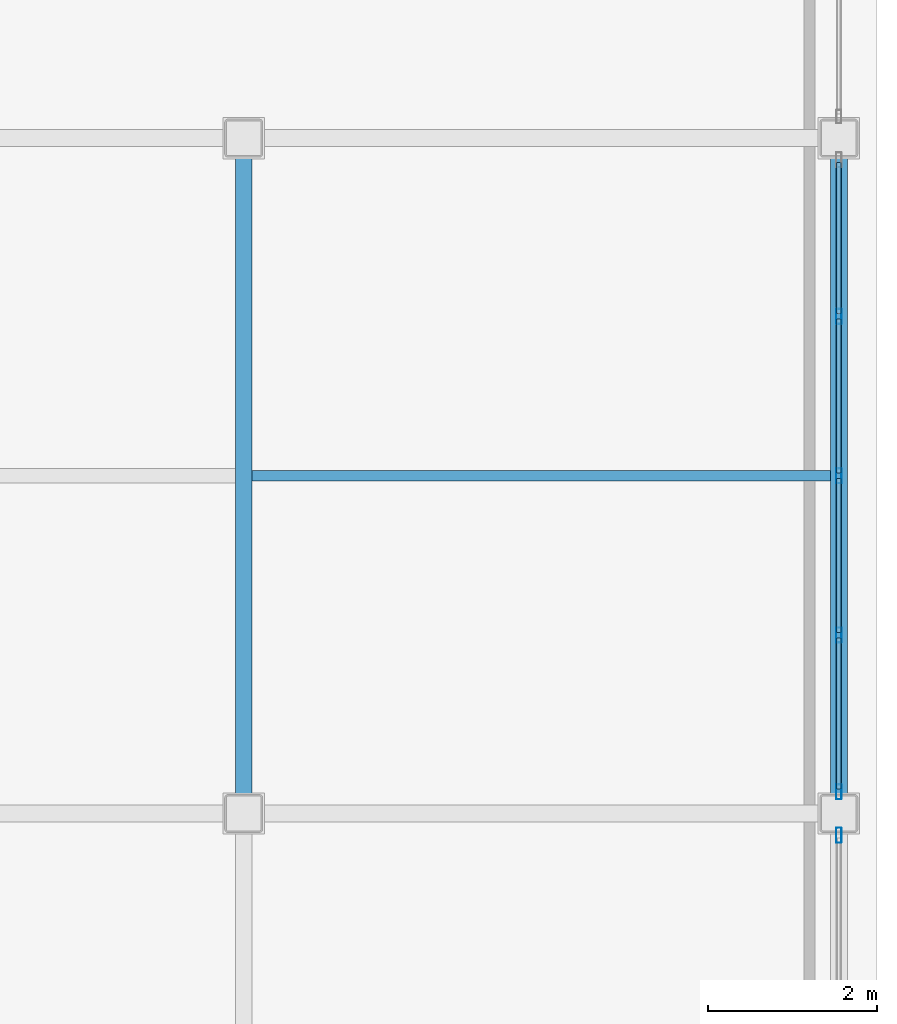
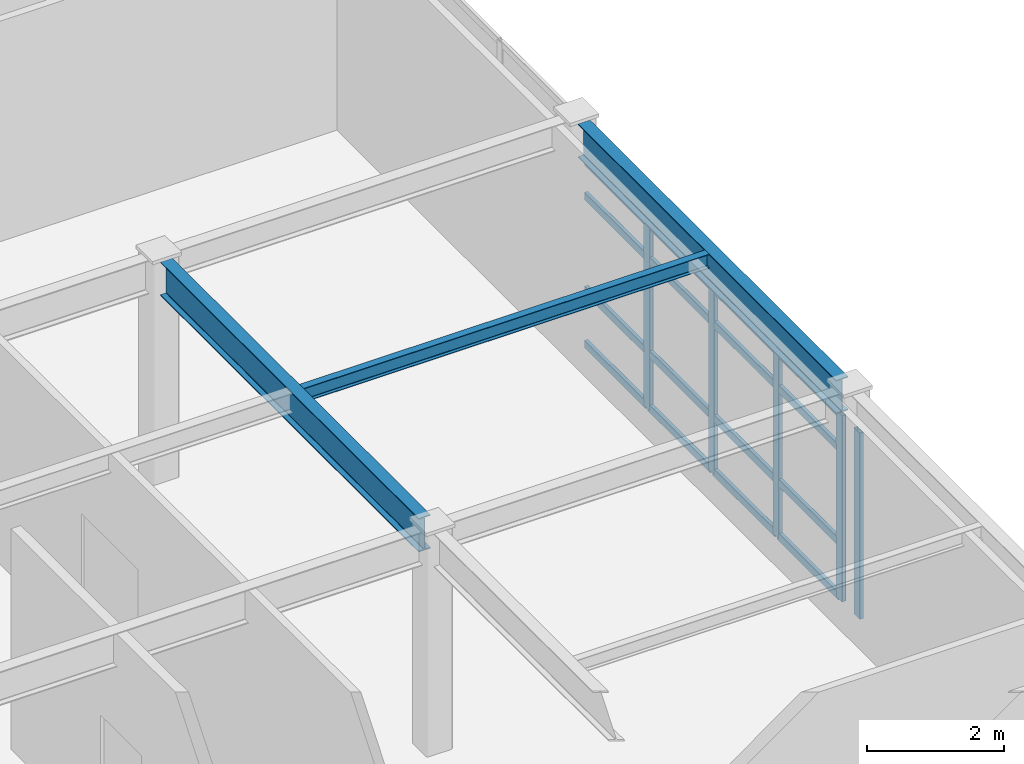
# One storey, part 21 of 34: 21 members, 3 beams, 2 elements without a shape of their own.
"""IFC4 building model written with IfcOpenShell, lengths in metres."""

from ifc_helpers import new_model, si_unit, direction, frame, origin, origin_2d, place, context, subcontext, project, spatial, hollow_rectangle, i_section, extrude, material, layer, layer_set, material_profile, profile_set, type_object, element, aggregate, save


model = new_model("IFC4")

# Units and contexts
model_context = context("Model", 3, precision=1e-05, world=origin(), true_north=direction((0.0, 1.0)))
body_context = subcontext(model_context, "Body", "Model", "MODEL_VIEW")
ifc_project = project(units=[si_unit("LENGTHUNIT", "METRE"), si_unit("AREAUNIT", "SQUARE_METRE"), si_unit("VOLUMEUNIT", "CUBIC_METRE"), si_unit("PLANEANGLEUNIT", "RADIAN"), si_unit("MASSUNIT", "GRAM", prefix="KILO")], contexts=[model_context])

# Site, building, storey
site_placement = place(None, origin())
site = spatial("IfcSite", under=ifc_project, at=site_placement, CompositionType="ELEMENT")
building_placement = place(site_placement, origin())
building = spatial("IfcBuilding", under=site, at=building_placement, Name="Kazehara Bluff Congress Hotel", CompositionType="ELEMENT")
storey_placement = place(building_placement, frame((0.0, 0.0, 46.199951171875)))
storey = spatial("IfcBuildingStorey", under=building, at=storey_placement, Name="L11", CompositionType="ELEMENT", Elevation=46.199951171875)

# Curtain wall, member
ifc_material_1 = material(Name="Anodised aluminium", Category="aluminium")
ifc_layer = layer(ifc_material_1, 0.159912109375)
ifc_layer_set = layer_set([ifc_layer], Name="Anodised aluminium")
curtain_wall_type = type_object("IfcCurtainWallType", Name="TP-CW-84", PredefinedType="NOTDEFINED", material=ifc_layer_set)
curtain_wall_1_placement = place(storey_placement, origin())
curtain_wall_1 = element("IfcCurtainWall", 1, at=curtain_wall_1_placement, inside=storey, type_object=curtain_wall_type, Name="L11 curtain wall CW-84 CW-V5-L11-X16755-4868", PredefinedType="NOTDEFINED")
ifc_material_2 = material(Name="Anodised aluminium", Category="aluminium")
ifc_material_profile_1 = material_profile(ifc_material_2, hollow_rectangle(XDim=0.06494140625, YDim=0.179931640625, WallThickness=0.00390625, InnerFilletRadius=0.00390625, OuterFilletRadius=0.008056640625, at=origin_2d()))
ifc_profile_set_1 = profile_set([ifc_material_profile_1], Name="Anodised aluminium")
member_type_1 = type_object("IfcMemberType", Name="TP-CWM-02", PredefinedType="MULLION", material=ifc_profile_set_1)
member_1_placement = place(storey_placement, frame((167.550048828125, 56.1923828125, 0.0), z_axis=(0.0, 0.0, 1.0), x_axis=(-1.0, 0.0, 0.0)))
member_1 = element("IfcMember", 2, at=member_1_placement, type_object=member_type_1, Name="CW-84 mullion 5", PredefinedType="MULLION", context=body_context, shape_type="SweptSolid", body=[
    extrude(hollow_rectangle(XDim=0.06494140625, YDim=0.179931640625, WallThickness=0.00390625, InnerFilletRadius=0.00390625, OuterFilletRadius=0.008056640625, at=origin_2d()), origin(), (0.0, 0.0, 1.0), 3.324951171875),
])
aggregate(curtain_wall_1, [member_1])

# Curtain wall, members
curtain_wall_2_placement = place(storey_placement, origin())
curtain_wall_2 = element("IfcCurtainWall", 3, at=curtain_wall_2_placement, inside=storey, type_object=curtain_wall_type, Name="L11 curtain wall CW-84 CW-V5-L11-X16755-5668", PredefinedType="NOTDEFINED")
member_2_placement = place(storey_placement, frame((167.550048828125, 56.70751953125, 0.0), z_axis=(0.0, 0.0, 1.0), x_axis=(-1.0, 0.0, 0.0)))
member_2 = element("IfcMember", 4, at=member_2_placement, type_object=member_type_1, Name="CW-84 mullion 1", PredefinedType="MULLION", context=body_context, shape_type="SweptSolid", body=[
    extrude(hollow_rectangle(XDim=0.06494140625, YDim=0.179931640625, WallThickness=0.00390625, InnerFilletRadius=0.00390625, OuterFilletRadius=0.008056640625, at=origin_2d()), origin(), (0.0, 0.0, 1.0), 3.324951171875),
])
member_3_placement = place(storey_placement, frame((167.550048828125, 58.5625, 0.0), z_axis=(0.0, 0.0, 1.0), x_axis=(-1.0, 0.0, 0.0)))
member_3 = element("IfcMember", 5, at=member_3_placement, type_object=member_type_1, Name="CW-84 mullion 2", PredefinedType="MULLION", context=body_context, shape_type="SweptSolid", body=[
    extrude(hollow_rectangle(XDim=0.06494140625, YDim=0.179931640625, WallThickness=0.00390625, InnerFilletRadius=0.00390625, OuterFilletRadius=0.008056640625, at=origin_2d()), origin(), (0.0, 0.0, 1.0), 3.324951171875),
])
member_4_placement = place(storey_placement, frame((167.550048828125, 60.449951171875, 0.0), z_axis=(0.0, 0.0, 1.0), x_axis=(-1.0, 0.0, 0.0)))
member_4 = element("IfcMember", 6, at=member_4_placement, type_object=member_type_1, Name="CW-84 mullion 3", PredefinedType="MULLION", context=body_context, shape_type="SweptSolid", body=[
    extrude(hollow_rectangle(XDim=0.06494140625, YDim=0.179931640625, WallThickness=0.00390625, InnerFilletRadius=0.00390625, OuterFilletRadius=0.008056640625, at=origin_2d()), origin(), (0.0, 0.0, 1.0), 3.324951171875),
])
member_5_placement = place(storey_placement, frame((167.550048828125, 62.33740234375, 0.0), z_axis=(0.0, 0.0, 1.0), x_axis=(-1.0, 0.0, 0.0)))
member_5 = element("IfcMember", 7, at=member_5_placement, type_object=member_type_1, Name="CW-84 mullion 4", PredefinedType="MULLION", context=body_context, shape_type="SweptSolid", body=[
    extrude(hollow_rectangle(XDim=0.06494140625, YDim=0.179931640625, WallThickness=0.00390625, InnerFilletRadius=0.00390625, OuterFilletRadius=0.008056640625, at=origin_2d()), origin(), (0.0, 0.0, 1.0), 3.324951171875),
])
ifc_material_3 = material(Name="Anodised aluminium", Category="aluminium")
ifc_material_profile_2 = material_profile(ifc_material_3, hollow_rectangle(XDim=0.06494140625, YDim=0.139892578125, WallThickness=0.00390625, InnerFilletRadius=0.00390625, OuterFilletRadius=0.008056640625, at=origin_2d()))
ifc_profile_set_2 = profile_set([ifc_material_profile_2], Name="Anodised aluminium")
member_type_2 = type_object("IfcMemberType", Name="TP-CWT-02", PredefinedType="USERDEFINED", material=ifc_profile_set_2)
member_6_placement = place(storey_placement, frame((167.550048828125, 56.739990234375, 0.032470703125), z_axis=(0.0, 1.0, 0.0), x_axis=(-1.0, 0.0, 0.0)))
member_6 = element("IfcMember", 8, at=member_6_placement, type_object=member_type_2, Name="CW-84 transom 1.1", ObjectType="TRANSOM", PredefinedType="USERDEFINED", context=body_context, shape_type="SweptSolid", body=[
    extrude(hollow_rectangle(XDim=0.06494140625, YDim=0.139892578125, WallThickness=0.00390625, InnerFilletRadius=0.00390625, OuterFilletRadius=0.008056640625, at=origin_2d()), origin(), (0.0, 0.0, 1.0), 1.7900390625),
])
member_7_placement = place(storey_placement, frame((167.550048828125, 56.739990234375, 1.0), z_axis=(0.0, 1.0, 0.0), x_axis=(-1.0, 0.0, 0.0)))
member_7 = element("IfcMember", 9, at=member_7_placement, type_object=member_type_2, Name="CW-84 transom 1.2", ObjectType="TRANSOM", PredefinedType="USERDEFINED", context=body_context, shape_type="SweptSolid", body=[
    extrude(hollow_rectangle(XDim=0.06494140625, YDim=0.139892578125, WallThickness=0.00390625, InnerFilletRadius=0.00390625, OuterFilletRadius=0.008056640625, at=origin_2d()), origin(), (0.0, 0.0, 1.0), 1.7900390625),
])
member_8_placement = place(storey_placement, frame((167.550048828125, 56.739990234375, 2.675048828125), z_axis=(0.0, 1.0, 0.0), x_axis=(-1.0, 0.0, 0.0)))
member_8 = element("IfcMember", 10, at=member_8_placement, type_object=member_type_2, Name="CW-84 transom 1.3", ObjectType="TRANSOM", PredefinedType="USERDEFINED", context=body_context, shape_type="SweptSolid", body=[
    extrude(hollow_rectangle(XDim=0.06494140625, YDim=0.139892578125, WallThickness=0.00390625, InnerFilletRadius=0.00390625, OuterFilletRadius=0.008056640625, at=origin_2d()), origin(), (0.0, 0.0, 1.0), 1.7900390625),
])
member_9_placement = place(storey_placement, frame((167.550048828125, 56.739990234375, 3.29248046875), z_axis=(0.0, 1.0, 0.0), x_axis=(-1.0, 0.0, 0.0)))
member_9 = element("IfcMember", 11, at=member_9_placement, type_object=member_type_2, Name="CW-84 transom 1.4", ObjectType="TRANSOM", PredefinedType="USERDEFINED", context=body_context, shape_type="SweptSolid", body=[
    extrude(hollow_rectangle(XDim=0.06494140625, YDim=0.139892578125, WallThickness=0.00390625, InnerFilletRadius=0.00390625, OuterFilletRadius=0.008056640625, at=origin_2d()), origin(), (0.0, 0.0, 1.0), 1.7900390625),
])
member_10_placement = place(storey_placement, frame((167.550048828125, 58.594970703125, 0.032470703125), z_axis=(0.0, 1.0, 0.0), x_axis=(-1.0, 0.0, 0.0)))
member_10 = element("IfcMember", 12, at=member_10_placement, type_object=member_type_2, Name="CW-84 transom 2.1", ObjectType="TRANSOM", PredefinedType="USERDEFINED", context=body_context, shape_type="SweptSolid", body=[
    extrude(hollow_rectangle(XDim=0.06494140625, YDim=0.139892578125, WallThickness=0.00390625, InnerFilletRadius=0.00390625, OuterFilletRadius=0.008056640625, at=origin_2d()), origin(), (0.0, 0.0, 1.0), 1.822509765625),
])
member_11_placement = place(storey_placement, frame((167.550048828125, 58.594970703125, 1.0), z_axis=(0.0, 1.0, 0.0), x_axis=(-1.0, 0.0, 0.0)))
member_11 = element("IfcMember", 13, at=member_11_placement, type_object=member_type_2, Name="CW-84 transom 2.2", ObjectType="TRANSOM", PredefinedType="USERDEFINED", context=body_context, shape_type="SweptSolid", body=[
    extrude(hollow_rectangle(XDim=0.06494140625, YDim=0.139892578125, WallThickness=0.00390625, InnerFilletRadius=0.00390625, OuterFilletRadius=0.008056640625, at=origin_2d()), origin(), (0.0, 0.0, 1.0), 1.822509765625),
])
member_12_placement = place(storey_placement, frame((167.550048828125, 58.594970703125, 2.675048828125), z_axis=(0.0, 1.0, 0.0), x_axis=(-1.0, 0.0, 0.0)))
member_12 = element("IfcMember", 14, at=member_12_placement, type_object=member_type_2, Name="CW-84 transom 2.3", ObjectType="TRANSOM", PredefinedType="USERDEFINED", context=body_context, shape_type="SweptSolid", body=[
    extrude(hollow_rectangle(XDim=0.06494140625, YDim=0.139892578125, WallThickness=0.00390625, InnerFilletRadius=0.00390625, OuterFilletRadius=0.008056640625, at=origin_2d()), origin(), (0.0, 0.0, 1.0), 1.822509765625),
])
member_13_placement = place(storey_placement, frame((167.550048828125, 58.594970703125, 3.29248046875), z_axis=(0.0, 1.0, 0.0), x_axis=(-1.0, 0.0, 0.0)))
member_13 = element("IfcMember", 15, at=member_13_placement, type_object=member_type_2, Name="CW-84 transom 2.4", ObjectType="TRANSOM", PredefinedType="USERDEFINED", context=body_context, shape_type="SweptSolid", body=[
    extrude(hollow_rectangle(XDim=0.06494140625, YDim=0.139892578125, WallThickness=0.00390625, InnerFilletRadius=0.00390625, OuterFilletRadius=0.008056640625, at=origin_2d()), origin(), (0.0, 0.0, 1.0), 1.822509765625),
])
member_14_placement = place(storey_placement, frame((167.550048828125, 60.482421875, 0.032470703125), z_axis=(0.0, 1.0, 0.0), x_axis=(-1.0, 0.0, 0.0)))
member_14 = element("IfcMember", 16, at=member_14_placement, type_object=member_type_2, Name="CW-84 transom 3.1", ObjectType="TRANSOM", PredefinedType="USERDEFINED", context=body_context, shape_type="SweptSolid", body=[
    extrude(hollow_rectangle(XDim=0.06494140625, YDim=0.139892578125, WallThickness=0.00390625, InnerFilletRadius=0.00390625, OuterFilletRadius=0.008056640625, at=origin_2d()), origin(), (0.0, 0.0, 1.0), 1.822509765625),
])
member_15_placement = place(storey_placement, frame((167.550048828125, 60.482421875, 1.0), z_axis=(0.0, 1.0, 0.0), x_axis=(-1.0, 0.0, 0.0)))
member_15 = element("IfcMember", 17, at=member_15_placement, type_object=member_type_2, Name="CW-84 transom 3.2", ObjectType="TRANSOM", PredefinedType="USERDEFINED", context=body_context, shape_type="SweptSolid", body=[
    extrude(hollow_rectangle(XDim=0.06494140625, YDim=0.139892578125, WallThickness=0.00390625, InnerFilletRadius=0.00390625, OuterFilletRadius=0.008056640625, at=origin_2d()), origin(), (0.0, 0.0, 1.0), 1.822509765625),
])
member_16_placement = place(storey_placement, frame((167.550048828125, 60.482421875, 2.675048828125), z_axis=(0.0, 1.0, 0.0), x_axis=(-1.0, 0.0, 0.0)))
member_16 = element("IfcMember", 18, at=member_16_placement, type_object=member_type_2, Name="CW-84 transom 3.3", ObjectType="TRANSOM", PredefinedType="USERDEFINED", context=body_context, shape_type="SweptSolid", body=[
    extrude(hollow_rectangle(XDim=0.06494140625, YDim=0.139892578125, WallThickness=0.00390625, InnerFilletRadius=0.00390625, OuterFilletRadius=0.008056640625, at=origin_2d()), origin(), (0.0, 0.0, 1.0), 1.822509765625),
])
member_17_placement = place(storey_placement, frame((167.550048828125, 60.482421875, 3.29248046875), z_axis=(0.0, 1.0, 0.0), x_axis=(-1.0, 0.0, 0.0)))
member_17 = element("IfcMember", 19, at=member_17_placement, type_object=member_type_2, Name="CW-84 transom 3.4", ObjectType="TRANSOM", PredefinedType="USERDEFINED", context=body_context, shape_type="SweptSolid", body=[
    extrude(hollow_rectangle(XDim=0.06494140625, YDim=0.139892578125, WallThickness=0.00390625, InnerFilletRadius=0.00390625, OuterFilletRadius=0.008056640625, at=origin_2d()), origin(), (0.0, 0.0, 1.0), 1.822509765625),
])
member_18_placement = place(storey_placement, frame((167.550048828125, 62.3701171875, 0.032470703125), z_axis=(0.0, 1.0, 0.0), x_axis=(-1.0, 0.0, 0.0)))
member_18 = element("IfcMember", 20, at=member_18_placement, type_object=member_type_2, Name="CW-84 transom 4.1", ObjectType="TRANSOM", PredefinedType="USERDEFINED", context=body_context, shape_type="SweptSolid", body=[
    extrude(hollow_rectangle(XDim=0.06494140625, YDim=0.139892578125, WallThickness=0.00390625, InnerFilletRadius=0.00390625, OuterFilletRadius=0.008056640625, at=origin_2d()), origin(), (0.0, 0.0, 1.0), 1.789794921875),
])
member_19_placement = place(storey_placement, frame((167.550048828125, 62.3701171875, 1.0), z_axis=(0.0, 1.0, 0.0), x_axis=(-1.0, 0.0, 0.0)))
member_19 = element("IfcMember", 21, at=member_19_placement, type_object=member_type_2, Name="CW-84 transom 4.2", ObjectType="TRANSOM", PredefinedType="USERDEFINED", context=body_context, shape_type="SweptSolid", body=[
    extrude(hollow_rectangle(XDim=0.06494140625, YDim=0.139892578125, WallThickness=0.00390625, InnerFilletRadius=0.00390625, OuterFilletRadius=0.008056640625, at=origin_2d()), origin(), (0.0, 0.0, 1.0), 1.789794921875),
])
member_20_placement = place(storey_placement, frame((167.550048828125, 62.3701171875, 2.675048828125), z_axis=(0.0, 1.0, 0.0), x_axis=(-1.0, 0.0, 0.0)))
member_20 = element("IfcMember", 22, at=member_20_placement, type_object=member_type_2, Name="CW-84 transom 4.3", ObjectType="TRANSOM", PredefinedType="USERDEFINED", context=body_context, shape_type="SweptSolid", body=[
    extrude(hollow_rectangle(XDim=0.06494140625, YDim=0.139892578125, WallThickness=0.00390625, InnerFilletRadius=0.00390625, OuterFilletRadius=0.008056640625, at=origin_2d()), origin(), (0.0, 0.0, 1.0), 1.789794921875),
])
member_21_placement = place(storey_placement, frame((167.550048828125, 62.3701171875, 3.29248046875), z_axis=(0.0, 1.0, 0.0), x_axis=(-1.0, 0.0, 0.0)))
member_21 = element("IfcMember", 23, at=member_21_placement, type_object=member_type_2, Name="CW-84 transom 4.4", ObjectType="TRANSOM", PredefinedType="USERDEFINED", context=body_context, shape_type="SweptSolid", body=[
    extrude(hollow_rectangle(XDim=0.06494140625, YDim=0.139892578125, WallThickness=0.00390625, InnerFilletRadius=0.00390625, OuterFilletRadius=0.008056640625, at=origin_2d()), origin(), (0.0, 0.0, 1.0), 1.789794921875),
])
aggregate(curtain_wall_2, [member_2, member_3, member_4, member_5, member_6, member_7, member_8, member_9, member_10, member_11, member_12, member_13, member_14, member_15, member_16, member_17, member_18, member_19, member_20, member_21])

# Beams
ifc_material_4 = material(Name="Steel SN490B", Category="steel")
ifc_material_profile_3 = material_profile(ifc_material_4, i_section(OverallWidth=0.199951171875, OverallDepth=0.60009765625, WebThickness=0.010986328125, FlangeThickness=0.01708984375, FilletRadius=0.012939453125, at=origin_2d()))
ifc_profile_set_3 = profile_set([ifc_material_profile_3], Name="Steel SN490B")
beam_type_1 = type_object("IfcBeamType", Name="TP-G-02", PredefinedType="BEAM", material=ifc_profile_set_3)
for number, where, z_axis, x_axis, name in (
    (24, (160.5, 56.675048828125, 3.650146484375), (0.0, 1.0, 0.0), (-1.0, 0.0, 0.0), "L11 girder G-02 19"),
    (25, (167.550048828125, 56.675048828125, 3.650146484375), (0.0, 1.0, 0.0), (-1.0, 0.0, 0.0), "L11 girder G-02 24"),
):
    element("IfcBeam", number, at=place(storey_placement, frame(where, z_axis=z_axis, x_axis=x_axis)), inside=storey, type_object=beam_type_1, Name=name, PredefinedType="BEAM", context=body_context, shape_type="SweptSolid", body=[
        extrude(i_section(OverallWidth=0.199951171875, OverallDepth=0.60009765625, WebThickness=0.010986328125, FlangeThickness=0.01708984375, FilletRadius=0.012939453125, at=origin_2d()), origin(), (0.0, 0.0, 1.0), 7.550048828125),
    ])
ifc_material_5 = material(Name="Steel SN400B", Category="steel")
ifc_material_profile_4 = material_profile(ifc_material_5, i_section(OverallWidth=0.125, OverallDepth=0.25, WebThickness=0.006103515625, FlangeThickness=0.009033203125, FilletRadius=0.008056640625, at=origin_2d()))
ifc_profile_set_4 = profile_set([ifc_material_profile_4], Name="Steel SN400B")
beam_type_2 = type_object("IfcBeamType", Name="TP-J-05", PredefinedType="JOIST", material=ifc_profile_set_4)
beam_placement = place(storey_placement, frame((160.60009765625, 60.449951171875, 3.824951171875), z_axis=(1.0, 0.0, 0.0), x_axis=(0.0, 1.0, 0.0)))
element("IfcBeam", 26, at=beam_placement, inside=storey, type_object=beam_type_2, Name="L11 secondary joist J-05 12", PredefinedType="JOIST", context=body_context, shape_type="SweptSolid", body=[
    extrude(i_section(OverallWidth=0.125, OverallDepth=0.25, WebThickness=0.006103515625, FlangeThickness=0.009033203125, FilletRadius=0.008056640625, at=origin_2d()), origin(), (0.0, 0.0, 1.0), 6.849853515625),
])

save(model, "model.ifc")
